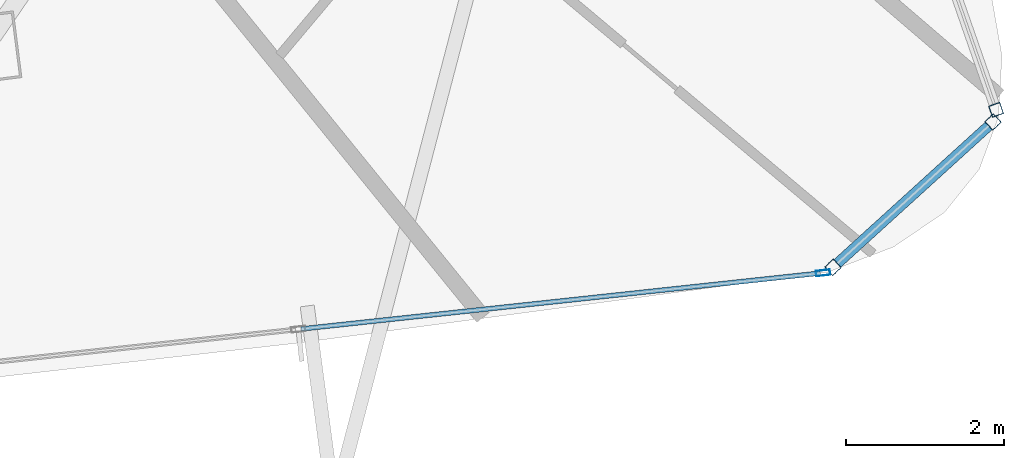
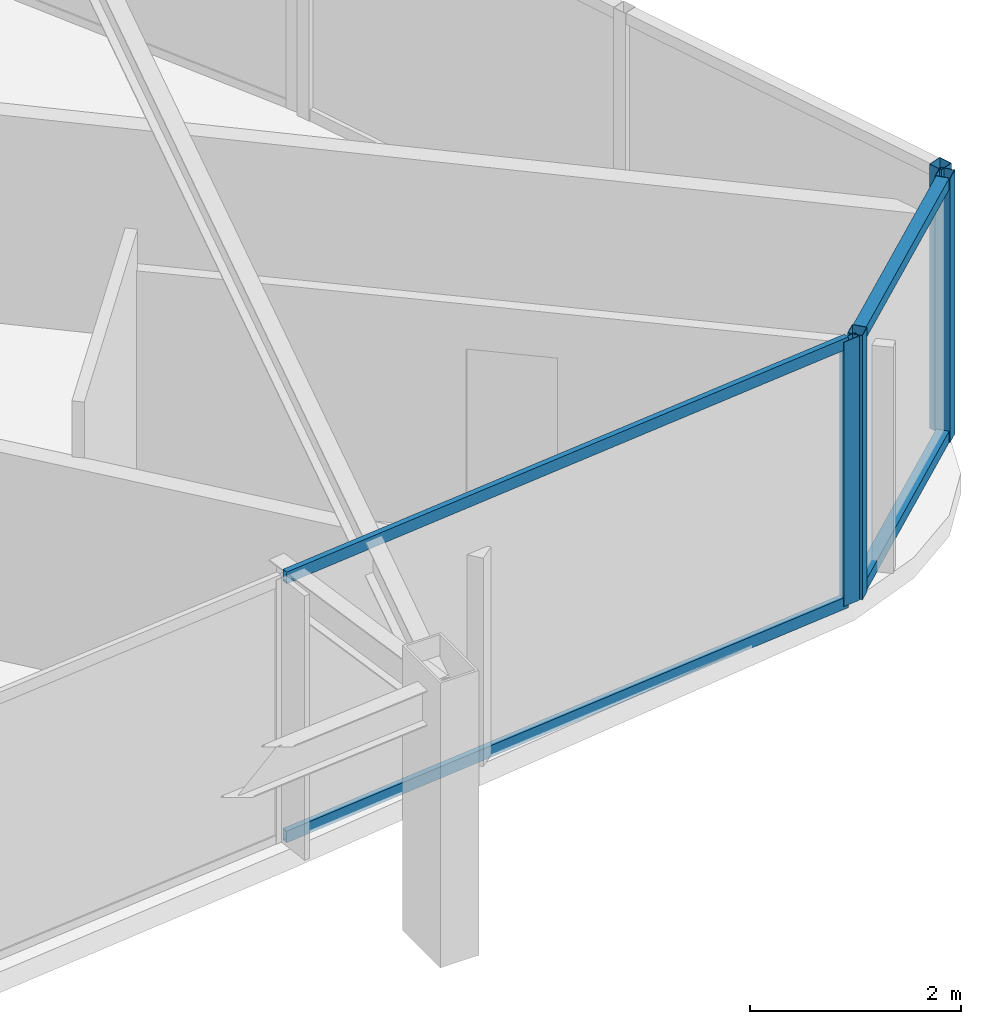
# One storey, part 14 of 35: 8 members, 3 elements without a shape of their own.
"""IFC4 building model written with IfcOpenShell, lengths in metres."""

import ifcopenshell
import ifcopenshell.guid

model = None  # the IFC model being written
_history = None  # IfcOwnerHistory: only IFC2X3 demands one
_inside = {}  # id of a spatial element -> (the spatial element, [elements in it])
_under = {}  # id of a project, library or spatial element -> (it, [spatial elements below it])
_declared = {}  # id of a project -> (the project, [libraries it declares])
_typed = {}  # id of a type object -> (the type object, [elements of that type])
_made_of = {}  # id of a material, layer set ... -> (it, [elements and type objects made of it])


def new_model(schema):
    """Start an empty IFC model of exactly this schema.

    Asked for "IFC4X3", IfcOpenShell would pick the latest addendum, in which some entities
    have other attributes; the version numbers below select the first issue.
    IFC2X3 requires an IfcOwnerHistory on every rooted entity: one is made here for all.
    """
    global model, _history
    if schema == "IFC4X3":
        model = ifcopenshell.file(schema_version=(4, 3, 0, 0))
    else:
        model = ifcopenshell.file(schema=schema)
    _inside.clear()
    _under.clear()
    _declared.clear()
    _typed.clear()
    _made_of.clear()
    _history = None
    if model.schema == "IFC2X3":
        org = make("IfcOrganization", Name="unknown")
        user = make(
            "IfcPersonAndOrganization",
            ThePerson=make("IfcPerson", FamilyName="unknown"),
            TheOrganization=org,
        )
        app = make(
            "IfcApplication",
            ApplicationDeveloper=org,
            Version="unknown",
            ApplicationFullName="unknown",
            ApplicationIdentifier="unknown",
        )
        _history = make(
            "IfcOwnerHistory",
            OwningUser=user,
            OwningApplication=app,
            ChangeAction="ADDED",
            CreationDate=0,
        )
    return model


def make(cls, **values):
    """One entity of the class cls with the attributes given. An attribute that is None is left unset."""
    return model.create_entity(
        cls, **{name: value for name, value in values.items() if value is not None}
    )


def rooted(cls, **values):
    """An entity with a GlobalId (a new one), such as an element, a storey or a relation."""
    return make(cls, GlobalId=ifcopenshell.guid.new(), OwnerHistory=_history, **values)


def si_unit(unit_type, name, prefix=None):
    """IfcSIUnit, for example si_unit("LENGTHUNIT", "METRE", prefix="MILLI")."""
    return make("IfcSIUnit", UnitType=unit_type, Prefix=prefix, Name=name)


def assignment(units):
    """IfcUnitAssignment: the units of a project."""
    return None if units is None else make("IfcUnitAssignment", Units=units)


def point(xyz):
    """IfcCartesianPoint."""
    return None if xyz is None else make("IfcCartesianPoint", Coordinates=xyz)


def direction(xyz):
    """IfcDirection."""
    return None if xyz is None else make("IfcDirection", DirectionRatios=xyz)


def frame(location, z_axis=None, x_axis=None):
    """IfcAxis2Placement3D, a coordinate frame: its origin and axes. An axis left out is left unset."""
    return make(
        "IfcAxis2Placement3D",
        Location=point(location),
        Axis=direction(z_axis),
        RefDirection=direction(x_axis),
    )


def frame_2d(location, x_axis=None):
    """IfcAxis2Placement2D, a coordinate frame in the plane: its origin and x axis."""
    return make(
        "IfcAxis2Placement2D", Location=point(location), RefDirection=direction(x_axis)
    )


def origin():
    """The frame at (0, 0, 0) with its axes left unset."""
    return frame((0.0, 0.0, 0.0))


def origin_2d():
    """The frame at (0, 0) in the plane with its x axis left unset."""
    return frame_2d((0.0, 0.0))


def place(relative_to, where):
    """IfcLocalPlacement: puts the frame where relative to a parent placement (None: the world)."""
    return make(
        "IfcLocalPlacement", PlacementRelTo=relative_to, RelativePlacement=where
    )


def context(
    kind, dimensions, precision=None, world=None, true_north=None, identifier=None
):
    """IfcGeometricRepresentationContext, for example the 3D "Model" context."""
    return make(
        "IfcGeometricRepresentationContext",
        ContextIdentifier=identifier,
        ContextType=kind,
        CoordinateSpaceDimension=dimensions,
        Precision=precision,
        WorldCoordinateSystem=world,
        TrueNorth=true_north,
    )


def subcontext(parent, identifier, kind, view, scale=None):
    """IfcGeometricRepresentationSubContext, for example "Body" below "Model"."""
    return make(
        "IfcGeometricRepresentationSubContext",
        ContextIdentifier=identifier,
        ContextType=kind,
        ParentContext=parent,
        TargetScale=scale,
        TargetView=view,
    )


def project(units=None, contexts=None):
    """IfcProject with its units and contexts."""
    return rooted(
        "IfcProject",
        Name="project",
        RepresentationContexts=contexts,
        UnitsInContext=assignment(units),
    )


def spatial(cls, under=None, at=None, **own):
    """A site, building, storey or space (cls), placed at a placement, below another one or the project."""
    s = rooted(cls, ObjectPlacement=at, **own)
    if under is not None:
        _under.setdefault(under.id(), (under, []))[1].append(s)
    return s


def profile(cls, at=None, kind="AREA", **sizes):
    """A parametric profile (cls). Its sizes go by their IFC names, for example OverallWidth=200.0."""
    return make(cls, ProfileType=kind, Position=at, **sizes)


def hollow_rectangle(**sizes):
    """IfcRectangleHollowProfileDef."""
    return profile("IfcRectangleHollowProfileDef", **sizes)


def extrude(swept, where, along, depth):
    """IfcExtrudedAreaSolid: the profile swept, set in the frame where, extruded along a direction by depth."""
    return make(
        "IfcExtrudedAreaSolid",
        SweptArea=swept,
        Position=where,
        ExtrudedDirection=direction(along),
        Depth=depth,
    )


def shape(context_of_items, identifier, shape_type, items):
    """IfcShapeRepresentation: the items that make up one representation, for example the "Body"."""
    return make(
        "IfcShapeRepresentation",
        ContextOfItems=context_of_items,
        RepresentationIdentifier=identifier,
        RepresentationType=shape_type,
        Items=items,
    )


def material(Name=None, Category=None):
    """IfcMaterial."""
    return make("IfcMaterial", Name=Name, Category=Category)


def layer(
    of_material, thickness, ventilated=None, Name=None, Category=None, Priority=None
):
    """IfcMaterialLayer: one layer of a wall or slab, of a material (None: an air gap)."""
    return make(
        "IfcMaterialLayer",
        Material=of_material,
        LayerThickness=thickness,
        IsVentilated=ventilated,
        Name=Name,
        Category=Category,
        Priority=Priority,
    )


def layer_set(layers, Name=None):
    """IfcMaterialLayerSet."""
    return make("IfcMaterialLayerSet", MaterialLayers=layers, LayerSetName=Name)


def material_profile(
    of_material, cross_section, Name=None, Category=None, Priority=None
):
    """IfcMaterialProfile: a cross section and its material."""
    return make(
        "IfcMaterialProfile",
        Name=Name,
        Material=of_material,
        Profile=cross_section,
        Priority=Priority,
        Category=Category,
    )


def profile_set(profiles, Name=None, composite=None):
    """IfcMaterialProfileSet."""
    return make(
        "IfcMaterialProfileSet",
        Name=Name,
        MaterialProfiles=profiles,
        CompositeProfile=composite,
    )


def made_of(thing, what):
    """Note that an element or type object is made of a material, layer set ...; save() writes the relation."""
    if what is not None:
        _made_of.setdefault(what.id(), (what, []))[1].append(thing)
    return thing


def type_object(cls, material=None, **own):
    """A type object (cls), such as IfcWallType, which elements share."""
    return made_of(rooted(cls, **own), material)


def element(
    cls,
    number,
    at=None,
    inside=None,
    cuts=None,
    type_object=None,
    material=None,
    context=None,
    identifier="Body",
    shape_type=None,
    held_by="IfcProductDefinitionShape",
    body=None,
    shapes=None,
    **own,
):
    """One element of the class cls, such as IfcWall. Its Tag is "e" and its number.

    at: its placement. inside: the storey or other place that contains it. cuts: it is an
    opening in that element (IfcRelVoidsElement). A single representation is given by context,
    identifier, shape_type and body (its items); several are given by shapes. held_by: the class
    of the entity that holds the representations. save() writes the other relations.
    """
    e = rooted(cls, Tag="e%d" % number, ObjectPlacement=at, **own)
    if body is not None:
        shapes = [shape(context, identifier, shape_type, body)]
    if shapes is not None:
        e.Representation = make(held_by, Representations=shapes)
    if inside is not None:
        _inside.setdefault(inside.id(), (inside, []))[1].append(e)
    if cuts is not None:
        rooted(
            "IfcRelVoidsElement", RelatingBuildingElement=cuts, RelatedOpeningElement=e
        )
    if type_object is not None:
        _typed.setdefault(type_object.id(), (type_object, []))[1].append(e)
    return made_of(e, material)


def aggregate(whole, parts):
    """IfcRelAggregates: a whole, such as a stair, and the parts it consists of."""
    return rooted("IfcRelAggregates", RelatingObject=whole, RelatedObjects=parts)


def save(model, path):
    """Write the relations noted so far, then the file.

    IfcRelAggregates (storeys below a building ...), IfcRelContainedInSpatialStructure (elements
    in a storey), IfcRelDefinesByType, IfcRelAssociatesMaterial and IfcRelDeclares: one each for
    every whole, place, type object, material and project.
    """
    for whole, parts in _under.values():
        aggregate(whole, parts)
    for where, things in _inside.values():
        rooted(
            "IfcRelContainedInSpatialStructure",
            RelatedElements=things,
            RelatingStructure=where,
        )
    for kind, things in _typed.values():
        rooted("IfcRelDefinesByType", RelatedObjects=things, RelatingType=kind)
    for what, things in _made_of.values():
        rooted("IfcRelAssociatesMaterial", RelatedObjects=things, RelatingMaterial=what)
    for by, libraries in _declared.values():
        rooted("IfcRelDeclares", RelatingContext=by, RelatedDefinitions=libraries)
    model.write(path)


model = new_model("IFC4")

# Units and contexts
model_context = context("Model", 3, precision=1e-05, world=origin(), true_north=direction((0.0, 1.0)))
body_context = subcontext(model_context, "Body", "Model", "MODEL_VIEW")
ifc_project = project(units=[si_unit("LENGTHUNIT", "METRE"), si_unit("AREAUNIT", "SQUARE_METRE"), si_unit("VOLUMEUNIT", "CUBIC_METRE"), si_unit("PLANEANGLEUNIT", "RADIAN"), si_unit("MASSUNIT", "GRAM", prefix="KILO")], contexts=[model_context])

# Site, building, storey
site_placement = place(None, origin())
site = spatial("IfcSite", under=ifc_project, at=site_placement, CompositionType="ELEMENT")
building_placement = place(site_placement, origin())
building = spatial("IfcBuilding", under=site, at=building_placement, Name="Orvanel Arch Residences", CompositionType="ELEMENT")
storey_placement = place(building_placement, frame((0.0, 0.0, 36.800048828125)))
storey = spatial("IfcBuildingStorey", under=building, at=storey_placement, Name="L09", CompositionType="ELEMENT", Elevation=36.800048828125)

# Curtain wall, members
ifc_material = material(Name="Bronze-anodised aluminium AA6063-T6", Category="aluminium")
ifc_layer_1 = layer(ifc_material, 0.18994140625)
ifc_layer_set_1 = layer_set([ifc_layer_1], Name="Bronze-anodised aluminium AA6063-T6")
curtain_wall_type_1 = type_object("IfcCurtainWallType", Name="CW5-CRN-SYS", PredefinedType="NOTDEFINED", material=ifc_layer_set_1)
curtain_wall_1_placement = place(storey_placement, origin())
curtain_wall_1 = element("IfcCurtainWall", 1, at=curtain_wall_1_placement, inside=storey, type_object=curtain_wall_type_1, Name="L09 CW5-CRN-SYS Unitised Curtain Wall", PredefinedType="NOTDEFINED")
ifc_material_profile_1 = material_profile(ifc_material, hollow_rectangle(XDim=0.14990234375, YDim=0.14990234375, WallThickness=0.0048828125, at=origin_2d()), Name="ALU150x150x5")
ifc_profile_set_1 = profile_set([ifc_material_profile_1], Name="Bronze-anodised aluminium AA6063-T6")
member_type_1 = type_object("IfcMemberType", Name="MUL-150x150", PredefinedType="MULLION", material=ifc_profile_set_1)
member_1_placement = place(storey_placement, frame((59.781494140625, 3.573486328125, 0.0), z_axis=(0.0, 0.0, 1.0), x_axis=(-0.672465516, 0.740128454926, 0.0)))
member_1 = element("IfcMember", 2, at=member_1_placement, type_object=member_type_1, Name="CW-S5 mullion 1", PredefinedType="MULLION", context=body_context, shape_type="SweptSolid", body=[
    extrude(hollow_rectangle(XDim=0.14990234375, YDim=0.14990234375, WallThickness=0.0048828125, at=origin_2d()), origin(), (0.0, 0.0, 1.0), 3.06005859375),
])
member_2_placement = place(storey_placement, frame((61.803466796875, 5.41064453125, 0.0), z_axis=(0.0, 0.0, 1.0), x_axis=(-0.672465516, 0.740128454926, 0.0)))
member_2 = element("IfcMember", 3, at=member_2_placement, type_object=member_type_1, Name="CW-S5 mullion 2", PredefinedType="MULLION", context=body_context, shape_type="SweptSolid", body=[
    extrude(hollow_rectangle(XDim=0.14990234375, YDim=0.14990234375, WallThickness=0.0048828125, at=origin_2d()), origin(), (0.0, 0.0, 1.0), 3.06005859375),
])

# Curtain wall, member
curtain_wall_2_placement = place(storey_placement, origin())
curtain_wall_2 = element("IfcCurtainWall", 4, at=curtain_wall_2_placement, inside=storey, type_object=curtain_wall_type_1, Name="L09 CW5-CRN-SYS Unitised Curtain Wall", PredefinedType="NOTDEFINED")
member_3_placement = place(storey_placement, frame((61.84228515625, 5.563720703125, 0.0), z_axis=(0.0, 0.0, 1.0), x_axis=(-0.94424408755, -0.329246265169, 0.0)))
member_3 = element("IfcMember", 5, at=member_3_placement, type_object=member_type_1, Name="CW-S5 mullion 1", PredefinedType="MULLION", context=body_context, shape_type="SweptSolid", body=[
    extrude(hollow_rectangle(XDim=0.14990234375, YDim=0.14990234375, WallThickness=0.0048828125, at=origin_2d()), origin(), (0.0, 0.0, 1.0), 3.06005859375),
])
aggregate(curtain_wall_2, [member_3])

ifc_layer_2 = layer(ifc_material, 0.179931640625)
ifc_layer_set_2 = layer_set([ifc_layer_2], Name="Bronze-anodised aluminium AA6063-T6")
curtain_wall_type_2 = type_object("IfcCurtainWallType", Name="CW2-LOW-SYS", PredefinedType="NOTDEFINED", material=ifc_layer_set_2)
curtain_wall_3_placement = place(storey_placement, origin())
curtain_wall_3 = element("IfcCurtainWall", 6, at=curtain_wall_3_placement, inside=storey, type_object=curtain_wall_type_2, Name="L09 CW2-LOW-SYS Unitised Curtain Wall", PredefinedType="NOTDEFINED")
ifc_material_profile_2 = material_profile(ifc_material, hollow_rectangle(XDim=0.070068359375, YDim=0.179931640625, WallThickness=0.00439453125, at=origin_2d()), Name="ALU180x70x4.5")
ifc_profile_set_2 = profile_set([ifc_material_profile_2], Name="Bronze-anodised aluminium AA6063-T6")
member_type_2 = type_object("IfcMemberType", Name="MUL-180x70", PredefinedType="MULLION", material=ifc_profile_set_2)
member_4_placement = place(storey_placement, frame((59.65625, 3.504150390625, 0.0), z_axis=(0.0, 0.0, 1.0), x_axis=(-0.106921178668, 0.994267499998, 0.0)))
member_4 = element("IfcMember", 7, at=member_4_placement, type_object=member_type_2, Name="CW-S2 mullion 4", PredefinedType="MULLION", context=body_context, shape_type="SweptSolid", body=[
    extrude(hollow_rectangle(XDim=0.070068359375, YDim=0.179931640625, WallThickness=0.00439453125, at=origin_2d()), origin(), (0.0, 0.0, 1.0), 3.06005859375),
])

# Member
ifc_material_profile_3 = material_profile(ifc_material, hollow_rectangle(XDim=0.1298828125, YDim=0.1298828125, WallThickness=0.00439453125, at=origin_2d()), Name="ALU130x130x4.5")
ifc_profile_set_3 = profile_set([ifc_material_profile_3], Name="Bronze-anodised aluminium AA6063-T6")
member_type_3 = type_object("IfcMemberType", Name="TRN-130x130", PredefinedType="USERDEFINED", material=ifc_profile_set_3)
member_5_placement = place(storey_placement, frame((59.8369140625, 3.623779296875, 0.06494140625), z_axis=(0.7401453986, 0.672446866995, 0.0), x_axis=(-0.672446866995, 0.7401453986, 0.0)))
member_5 = element("IfcMember", 8, at=member_5_placement, type_object=member_type_3, Name="CW-S5 transom 1.1", ObjectType="TRANSOM", PredefinedType="USERDEFINED", context=body_context, shape_type="SweptSolid", body=[
    extrude(hollow_rectangle(XDim=0.1298828125, YDim=0.1298828125, WallThickness=0.00439453125, at=origin_2d()), origin(), (0.0, 0.0, 1.0), 2.58203125),
])

member_6_placement = place(storey_placement, frame((59.8369140625, 3.623779296875, 2.994873046875), z_axis=(0.7401453986, 0.672446866995, 0.0), x_axis=(-0.672446866995, 0.7401453986, 0.0)))
member_6 = element("IfcMember", 9, at=member_6_placement, type_object=member_type_3, Name="CW-S5 transom 1.2", ObjectType="TRANSOM", PredefinedType="USERDEFINED", context=body_context, shape_type="SweptSolid", body=[
    extrude(hollow_rectangle(XDim=0.1298828125, YDim=0.1298828125, WallThickness=0.00439453125, at=origin_2d()), origin(), (0.0, 0.0, 1.0), 2.58203125),
])

aggregate(curtain_wall_1, [member_1, member_2, member_5, member_6])

ifc_material_profile_4 = material_profile(ifc_material, hollow_rectangle(XDim=0.06005859375, YDim=0.135009765625, WallThickness=0.00390625, at=origin_2d()), Name="ALU135x60x4")
ifc_profile_set_4 = profile_set([ifc_material_profile_4], Name="Bronze-anodised aluminium AA6063-T6")
member_type_4 = type_object("IfcMemberType", Name="TRN-135x60", PredefinedType="USERDEFINED", material=ifc_profile_set_4)
member_7_placement = place(storey_placement, frame((53.0615234375, 2.795166015625, 0.030029296875), z_axis=(0.994269186717, 0.106905492591, 0.0), x_axis=(-0.106905492591, 0.994269186717, 0.0)))
member_7 = element("IfcMember", 10, at=member_7_placement, type_object=member_type_4, Name="CW-S2 transom 3.1", ObjectType="TRANSOM", PredefinedType="USERDEFINED", context=body_context, shape_type="SweptSolid", body=[
    extrude(hollow_rectangle(XDim=0.06005859375, YDim=0.135009765625, WallThickness=0.00390625, at=origin_2d()), origin(), (0.0, 0.0, 1.0), 6.59765625),
])

member_8_placement = place(storey_placement, frame((53.0615234375, 2.795166015625, 3.030029296875), z_axis=(0.994269186717, 0.106905492591, 0.0), x_axis=(-0.106905492591, 0.994269186717, 0.0)))
member_8 = element("IfcMember", 11, at=member_8_placement, type_object=member_type_4, Name="CW-S2 transom 3.2", ObjectType="TRANSOM", PredefinedType="USERDEFINED", context=body_context, shape_type="SweptSolid", body=[
    extrude(hollow_rectangle(XDim=0.06005859375, YDim=0.135009765625, WallThickness=0.00390625, at=origin_2d()), origin(), (0.0, 0.0, 1.0), 6.59765625),
])

aggregate(curtain_wall_3, [member_4, member_7, member_8])

save(model, "model.ifc")
